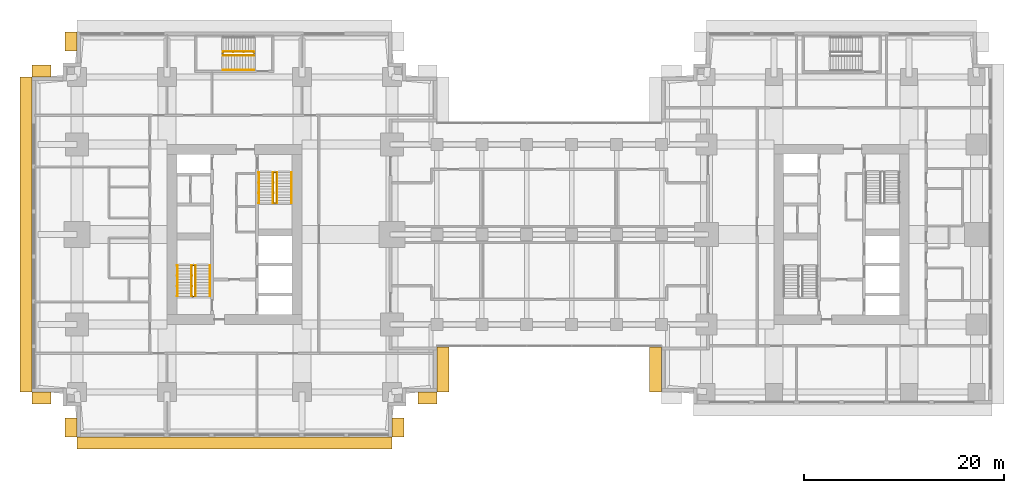
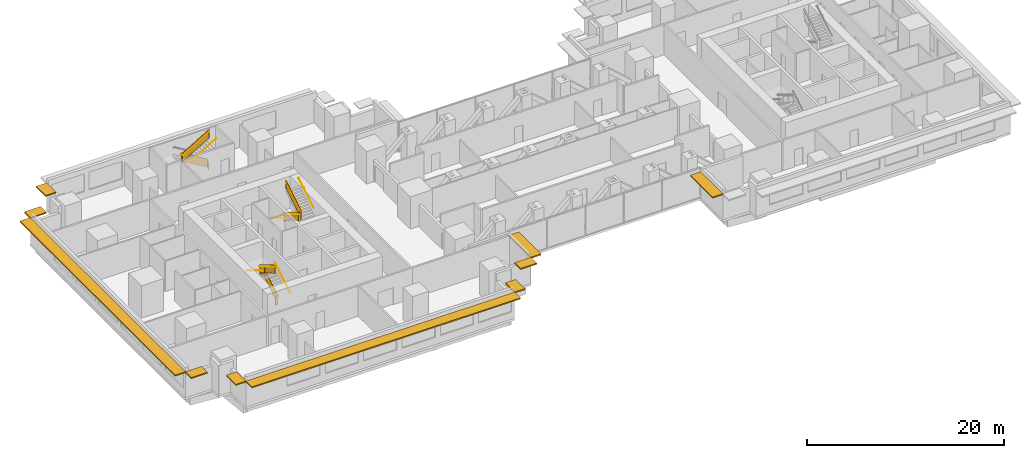
# One storey, part 14 of 16: 14 railings, 10 shading devices.
"""IFC4 building model written with IfcOpenShell, lengths in metres."""

from ifc_helpers import new_model, si_unit, direction, frame, origin, origin_2d, place, context, subcontext, project, spatial, polyline, rectangle, circle, outline, extrude, material, layer, layer_set, type_object, element, save


model = new_model("IFC4")

# Units and contexts
model_context = context("Model", 3, precision=1e-05, world=origin(), true_north=direction((0.0, 1.0)))
body_context = subcontext(model_context, "Body", "Model", "MODEL_VIEW")
ifc_project = project(units=[si_unit("LENGTHUNIT", "METRE"), si_unit("AREAUNIT", "SQUARE_METRE"), si_unit("VOLUMEUNIT", "CUBIC_METRE"), si_unit("PLANEANGLEUNIT", "RADIAN"), si_unit("MASSUNIT", "GRAM", prefix="KILO")], contexts=[model_context])

# Site, building, storey
site_placement = place(None, origin())
site = spatial("IfcSite", under=ifc_project, at=site_placement, CompositionType="ELEMENT")
building_placement = place(site_placement, origin())
building = spatial("IfcBuilding", under=site, at=building_placement, Name="Namib Vertical Campus", CompositionType="ELEMENT")
storey_placement = place(building_placement, frame((0.0, 0.0, 113.0)))
storey = spatial("IfcBuildingStorey", under=building, at=storey_placement, Name="L26", CompositionType="ELEMENT", Elevation=113.0)

# Railings
ifc_material_1 = material(Name="Steel handrail", Category="steel")
railing_type_1 = type_object("IfcRailingType", Name="Handrail 900", PredefinedType="HANDRAIL", material=ifc_material_1)
railing_1_placement = place(storey_placement, frame((17.800048828125, 14.050048828125, 0.166748046875)))
element("IfcRailing", 1, at=railing_1_placement, inside=storey, type_object=railing_type_1, Name="Handrail HR1 A-S1 L26 1", PredefinedType="HANDRAIL", context=body_context, shape_type="SweptSolid", body=[
    extrude(circle(Radius=0.02392578125, at=origin_2d()), frame((0.0, 0.0, 0.8759765625), z_axis=(0.0, 0.859290745958, 0.51148745235), x_axis=(-1.0, 0.0, 0.0)), (0.0, 0.0, 1.0), 3.584228515625),
    extrude(circle(Radius=0.008056640625, at=origin_2d()), frame((0.0, 0.0, 0.8759765625), z_axis=(1.0, 0.0, 0.0), x_axis=(0.0, 0.0, 1.0)), (0.0, 0.0, 1.0), 0.050048828125),
    extrude(circle(Radius=0.008056640625, at=origin_2d()), frame((0.0, 1.026611328125, 1.48681640625), z_axis=(1.0, 0.0, 0.0), x_axis=(0.0, 0.0, 1.0)), (0.0, 0.0, 1.0), 0.050048828125),
    extrude(circle(Radius=0.008056640625, at=origin_2d()), frame((0.0, 2.05322265625, 2.09814453125), z_axis=(1.0, 0.0, 0.0), x_axis=(0.0, 0.0, 1.0)), (0.0, 0.0, 1.0), 0.050048828125),
    extrude(circle(Radius=0.008056640625, at=origin_2d()), frame((0.0, 3.079833984375, 2.708984375), z_axis=(1.0, 0.0, 0.0), x_axis=(0.0, 0.0, 1.0)), (0.0, 0.0, 1.0), 0.050048828125),
])
railing_2_placement = place(storey_placement, frame((14.550048828125, 17.1298828125, 2.166748046875)))
element("IfcRailing", 2, at=railing_2_placement, inside=storey, type_object=railing_type_1, Name="Handrail HR1 A-S1 L26 2", PredefinedType="HANDRAIL", context=body_context, shape_type="SweptSolid", body=[
    extrude(circle(Radius=0.02392578125, at=origin_2d()), frame((0.0, 0.0, 0.8759765625), z_axis=(0.0, -0.859290745958, 0.51148745235), x_axis=(1.0, 0.0, 0.0)), (0.0, 0.0, 1.0), 3.584228515625),
    extrude(circle(Radius=0.008056640625, at=origin_2d()), frame((0.0, 0.0, 0.8759765625), z_axis=(-1.0, 0.0, 0.0), x_axis=(0.0, 0.0, 1.0)), (0.0, 0.0, 1.0), 0.050048828125),
    extrude(circle(Radius=0.008056640625, at=origin_2d()), frame((0.0, -1.026611328125, 1.48681640625), z_axis=(-1.0, 0.0, 0.0), x_axis=(0.0, 0.0, 1.0)), (0.0, 0.0, 1.0), 0.050048828125),
    extrude(circle(Radius=0.008056640625, at=origin_2d()), frame((0.0, -2.05322265625, 2.09814453125), z_axis=(-1.0, 0.0, 0.0), x_axis=(0.0, 0.0, 1.0)), (0.0, 0.0, 1.0), 0.050048828125),
    extrude(circle(Radius=0.008056640625, at=origin_2d()), frame((0.0, -3.079833984375, 2.708984375), z_axis=(-1.0, 0.0, 0.0), x_axis=(0.0, 0.0, 1.0)), (0.0, 0.0, 1.0), 0.050048828125),
])
railing_3_placement = place(storey_placement, frame((16.375, 14.050048828125, 0.166748046875)))
element("IfcRailing", 3, at=railing_3_placement, inside=storey, type_object=railing_type_1, Name="Handrail HR1 A-S1 L26 1 at the well", PredefinedType="HANDRAIL", context=body_context, shape_type="SweptSolid", body=[
    extrude(circle(Radius=0.02392578125, at=origin_2d()), frame((0.0, 0.0, 0.8759765625), z_axis=(0.0, 0.859290745958, 0.51148745235), x_axis=(-1.0, 0.0, 0.0)), (0.0, 0.0, 1.0), 3.584228515625),
    extrude(circle(Radius=0.008056640625, at=origin_2d()), frame((0.0, 0.0, 0.8759765625), z_axis=(-1.0, 0.0, 0.0), x_axis=(0.0, 0.0, 1.0)), (0.0, 0.0, 1.0), 0.0400390625),
    extrude(circle(Radius=0.008056640625, at=origin_2d()), frame((0.0, 1.026611328125, 1.48681640625), z_axis=(-1.0, 0.0, 0.0), x_axis=(0.0, 0.0, 1.0)), (0.0, 0.0, 1.0), 0.0400390625),
    extrude(circle(Radius=0.008056640625, at=origin_2d()), frame((0.0, 2.05322265625, 2.09814453125), z_axis=(-1.0, 0.0, 0.0), x_axis=(0.0, 0.0, 1.0)), (0.0, 0.0, 1.0), 0.0400390625),
    extrude(circle(Radius=0.008056640625, at=origin_2d()), frame((0.0, 3.079833984375, 2.708984375), z_axis=(-1.0, 0.0, 0.0), x_axis=(0.0, 0.0, 1.0)), (0.0, 0.0, 1.0), 0.0400390625),
])
railing_4_placement = place(storey_placement, frame((15.97509765625, 17.1298828125, 2.166748046875)))
element("IfcRailing", 4, at=railing_4_placement, inside=storey, type_object=railing_type_1, Name="Handrail HR1 A-S1 L26 2 at the well", PredefinedType="HANDRAIL", context=body_context, shape_type="SweptSolid", body=[
    extrude(circle(Radius=0.02392578125, at=origin_2d()), frame((0.0, 0.0, 0.8759765625), z_axis=(0.0, -0.859290745958, 0.51148745235), x_axis=(1.0, 0.0, 0.0)), (0.0, 0.0, 1.0), 3.584228515625),
    extrude(circle(Radius=0.008056640625, at=origin_2d()), frame((0.0, 0.0, 0.8759765625), z_axis=(1.0, 0.0, 0.0), x_axis=(0.0, 0.0, 1.0)), (0.0, 0.0, 1.0), 0.0400390625),
    extrude(circle(Radius=0.008056640625, at=origin_2d()), frame((0.0, -1.026611328125, 1.48681640625), z_axis=(1.0, 0.0, 0.0), x_axis=(0.0, 0.0, 1.0)), (0.0, 0.0, 1.0), 0.0400390625),
    extrude(circle(Radius=0.008056640625, at=origin_2d()), frame((0.0, -2.05322265625, 2.09814453125), z_axis=(1.0, 0.0, 0.0), x_axis=(0.0, 0.0, 1.0)), (0.0, 0.0, 1.0), 0.0400390625),
    extrude(circle(Radius=0.008056640625, at=origin_2d()), frame((0.0, -3.079833984375, 2.708984375), z_axis=(1.0, 0.0, 0.0), x_axis=(0.0, 0.0, 1.0)), (0.0, 0.0, 1.0), 0.0400390625),
])
railing_5_placement = place(storey_placement, frame((22.699951171875, 26.449951171875, 0.166748046875)))
element("IfcRailing", 5, at=railing_5_placement, inside=storey, type_object=railing_type_1, Name="Handrail HR1 A-S2 L26 1", PredefinedType="HANDRAIL", context=body_context, shape_type="SweptSolid", body=[
    extrude(circle(Radius=0.02392578125, at=origin_2d()), frame((0.0, 0.0, 0.8759765625), z_axis=(0.0, -0.859290745958, 0.51148745235), x_axis=(1.0, 0.0, 0.0)), (0.0, 0.0, 1.0), 3.584228515625),
    extrude(circle(Radius=0.008056640625, at=origin_2d()), frame((0.0, 0.0, 0.8759765625), z_axis=(-1.0, 0.0, 0.0), x_axis=(0.0, 0.0, 1.0)), (0.0, 0.0, 1.0), 0.050048828125),
    extrude(circle(Radius=0.008056640625, at=origin_2d()), frame((0.0, -1.026611328125, 1.48681640625), z_axis=(-1.0, 0.0, 0.0), x_axis=(0.0, 0.0, 1.0)), (0.0, 0.0, 1.0), 0.050048828125),
    extrude(circle(Radius=0.008056640625, at=origin_2d()), frame((0.0, -2.05322265625, 2.09814453125), z_axis=(-1.0, 0.0, 0.0), x_axis=(0.0, 0.0, 1.0)), (0.0, 0.0, 1.0), 0.050048828125),
    extrude(circle(Radius=0.008056640625, at=origin_2d()), frame((0.0, -3.079833984375, 2.708984375), z_axis=(-1.0, 0.0, 0.0), x_axis=(0.0, 0.0, 1.0)), (0.0, 0.0, 1.0), 0.050048828125),
])
railing_6_placement = place(storey_placement, frame((25.949951171875, 23.3701171875, 2.166748046875)))
element("IfcRailing", 6, at=railing_6_placement, inside=storey, type_object=railing_type_1, Name="Handrail HR1 A-S2 L26 2", PredefinedType="HANDRAIL", context=body_context, shape_type="SweptSolid", body=[
    extrude(circle(Radius=0.02392578125, at=origin_2d()), frame((0.0, 0.0, 0.8759765625), z_axis=(0.0, 0.859290745958, 0.51148745235), x_axis=(-1.0, 0.0, 0.0)), (0.0, 0.0, 1.0), 3.584228515625),
    extrude(circle(Radius=0.008056640625, at=origin_2d()), frame((0.0, 0.0, 0.8759765625), z_axis=(1.0, 0.0, 0.0), x_axis=(0.0, 0.0, 1.0)), (0.0, 0.0, 1.0), 0.050048828125),
    extrude(circle(Radius=0.008056640625, at=origin_2d()), frame((0.0, 1.026611328125, 1.48681640625), z_axis=(1.0, 0.0, 0.0), x_axis=(0.0, 0.0, 1.0)), (0.0, 0.0, 1.0), 0.050048828125),
    extrude(circle(Radius=0.008056640625, at=origin_2d()), frame((0.0, 2.05322265625, 2.09814453125), z_axis=(1.0, 0.0, 0.0), x_axis=(0.0, 0.0, 1.0)), (0.0, 0.0, 1.0), 0.050048828125),
    extrude(circle(Radius=0.008056640625, at=origin_2d()), frame((0.0, 3.079833984375, 2.708984375), z_axis=(1.0, 0.0, 0.0), x_axis=(0.0, 0.0, 1.0)), (0.0, 0.0, 1.0), 0.050048828125),
])
railing_7_placement = place(storey_placement, frame((24.125, 26.449951171875, 0.166748046875)))
element("IfcRailing", 7, at=railing_7_placement, inside=storey, type_object=railing_type_1, Name="Handrail HR1 A-S2 L26 1 at the well", PredefinedType="HANDRAIL", context=body_context, shape_type="SweptSolid", body=[
    extrude(circle(Radius=0.02392578125, at=origin_2d()), frame((0.0, 0.0, 0.8759765625), z_axis=(0.0, -0.859290745958, 0.51148745235), x_axis=(1.0, 0.0, 0.0)), (0.0, 0.0, 1.0), 3.584228515625),
    extrude(circle(Radius=0.008056640625, at=origin_2d()), frame((0.0, 0.0, 0.8759765625), z_axis=(1.0, 0.0, 0.0), x_axis=(0.0, 0.0, 1.0)), (0.0, 0.0, 1.0), 0.0400390625),
    extrude(circle(Radius=0.008056640625, at=origin_2d()), frame((0.0, -1.026611328125, 1.48681640625), z_axis=(1.0, 0.0, 0.0), x_axis=(0.0, 0.0, 1.0)), (0.0, 0.0, 1.0), 0.0400390625),
    extrude(circle(Radius=0.008056640625, at=origin_2d()), frame((0.0, -2.05322265625, 2.09814453125), z_axis=(1.0, 0.0, 0.0), x_axis=(0.0, 0.0, 1.0)), (0.0, 0.0, 1.0), 0.0400390625),
    extrude(circle(Radius=0.008056640625, at=origin_2d()), frame((0.0, -3.079833984375, 2.708984375), z_axis=(1.0, 0.0, 0.0), x_axis=(0.0, 0.0, 1.0)), (0.0, 0.0, 1.0), 0.0400390625),
])
railing_8_placement = place(storey_placement, frame((24.52490234375, 23.3701171875, 2.166748046875)))
element("IfcRailing", 8, at=railing_8_placement, inside=storey, type_object=railing_type_1, Name="Handrail HR1 A-S2 L26 2 at the well", PredefinedType="HANDRAIL", context=body_context, shape_type="SweptSolid", body=[
    extrude(circle(Radius=0.02392578125, at=origin_2d()), frame((0.0, 0.0, 0.8759765625), z_axis=(0.0, 0.859290745958, 0.51148745235), x_axis=(-1.0, 0.0, 0.0)), (0.0, 0.0, 1.0), 3.584228515625),
    extrude(circle(Radius=0.008056640625, at=origin_2d()), frame((0.0, 0.0, 0.8759765625), z_axis=(-1.0, 0.0, 0.0), x_axis=(0.0, 0.0, 1.0)), (0.0, 0.0, 1.0), 0.0400390625),
    extrude(circle(Radius=0.008056640625, at=origin_2d()), frame((0.0, 1.026611328125, 1.48681640625), z_axis=(-1.0, 0.0, 0.0), x_axis=(0.0, 0.0, 1.0)), (0.0, 0.0, 1.0), 0.0400390625),
    extrude(circle(Radius=0.008056640625, at=origin_2d()), frame((0.0, 2.05322265625, 2.09814453125), z_axis=(-1.0, 0.0, 0.0), x_axis=(0.0, 0.0, 1.0)), (0.0, 0.0, 1.0), 0.0400390625),
    extrude(circle(Radius=0.008056640625, at=origin_2d()), frame((0.0, 3.079833984375, 2.708984375), z_axis=(-1.0, 0.0, 0.0), x_axis=(0.0, 0.0, 1.0)), (0.0, 0.0, 1.0), 0.0400390625),
])
railing_9_placement = place(storey_placement, frame((19.1201171875, 36.699951171875, 2.166748046875)))
element("IfcRailing", 9, at=railing_9_placement, inside=storey, type_object=railing_type_1, Name="Handrail HR1 A-S3 L26 2", PredefinedType="HANDRAIL", context=body_context, shape_type="SweptSolid", body=[
    extrude(circle(Radius=0.02392578125, at=origin_2d()), frame((0.0, 0.0, 0.8759765625), z_axis=(0.859290745958, 0.0, 0.51148745235), x_axis=(0.0, 1.0, 0.0)), (0.0, 0.0, 1.0), 3.584228515625),
    extrude(circle(Radius=0.008056640625, at=origin_2d()), frame((0.0, 0.0, 0.8759765625), z_axis=(0.0, -1.0, 0.0), x_axis=(0.0, 0.0, 1.0)), (0.0, 0.0, 1.0), 0.050048828125),
    extrude(circle(Radius=0.008056640625, at=origin_2d()), frame((1.026611328125, 0.0, 1.48681640625), z_axis=(0.0, -1.0, 0.0), x_axis=(0.0, 0.0, 1.0)), (0.0, 0.0, 1.0), 0.050048828125),
    extrude(circle(Radius=0.008056640625, at=origin_2d()), frame((2.05322265625, 0.0, 2.09814453125), z_axis=(0.0, -1.0, 0.0), x_axis=(0.0, 0.0, 1.0)), (0.0, 0.0, 1.0), 0.050048828125),
    extrude(circle(Radius=0.008056640625, at=origin_2d()), frame((3.079833984375, 0.0, 2.708984375), z_axis=(0.0, -1.0, 0.0), x_axis=(0.0, 0.0, 1.0)), (0.0, 0.0, 1.0), 0.050048828125),
])
railing_10_placement = place(storey_placement, frame((22.199951171875, 38.52490234375, 0.166748046875)))
element("IfcRailing", 10, at=railing_10_placement, inside=storey, type_object=railing_type_1, Name="Handrail HR1 A-S3 L26 1 at the well", PredefinedType="HANDRAIL", context=body_context, shape_type="SweptSolid", body=[
    extrude(circle(Radius=0.02392578125, at=origin_2d()), frame((0.0, 0.0, 0.8759765625), z_axis=(-0.859290745958, 0.0, 0.51148745235), x_axis=(0.0, -1.0, 0.0)), (0.0, 0.0, 1.0), 3.584228515625),
    extrude(circle(Radius=0.008056640625, at=origin_2d()), frame((0.0, 0.0, 0.8759765625), z_axis=(0.0, -1.0, 0.0), x_axis=(0.0, 0.0, 1.0)), (0.0, 0.0, 1.0), 0.0400390625),
    extrude(circle(Radius=0.008056640625, at=origin_2d()), frame((-1.026611328125, 0.0, 1.48681640625), z_axis=(0.0, -1.0, 0.0), x_axis=(0.0, 0.0, 1.0)), (0.0, 0.0, 1.0), 0.0400390625),
    extrude(circle(Radius=0.008056640625, at=origin_2d()), frame((-2.05322265625, 0.0, 2.09814453125), z_axis=(0.0, -1.0, 0.0), x_axis=(0.0, 0.0, 1.0)), (0.0, 0.0, 1.0), 0.0400390625),
    extrude(circle(Radius=0.008056640625, at=origin_2d()), frame((-3.079833984375, 0.0, 2.708984375), z_axis=(0.0, -1.0, 0.0), x_axis=(0.0, 0.0, 1.0)), (0.0, 0.0, 1.0), 0.0400390625),
])
railing_11_placement = place(storey_placement, frame((19.1201171875, 38.125, 2.166748046875)))
element("IfcRailing", 11, at=railing_11_placement, inside=storey, type_object=railing_type_1, Name="Handrail HR1 A-S3 L26 2 at the well", PredefinedType="HANDRAIL", context=body_context, shape_type="SweptSolid", body=[
    extrude(circle(Radius=0.02392578125, at=origin_2d()), frame((0.0, 0.0, 0.8759765625), z_axis=(0.859290745958, 0.0, 0.51148745235), x_axis=(0.0, 1.0, 0.0)), (0.0, 0.0, 1.0), 3.584228515625),
    extrude(circle(Radius=0.008056640625, at=origin_2d()), frame((0.0, 0.0, 0.8759765625), z_axis=(0.0, 1.0, 0.0), x_axis=(0.0, 0.0, 1.0)), (0.0, 0.0, 1.0), 0.0400390625),
    extrude(circle(Radius=0.008056640625, at=origin_2d()), frame((1.026611328125, 0.0, 1.48681640625), z_axis=(0.0, 1.0, 0.0), x_axis=(0.0, 0.0, 1.0)), (0.0, 0.0, 1.0), 0.0400390625),
    extrude(circle(Radius=0.008056640625, at=origin_2d()), frame((2.05322265625, 0.0, 2.09814453125), z_axis=(0.0, 1.0, 0.0), x_axis=(0.0, 0.0, 1.0)), (0.0, 0.0, 1.0), 0.0400390625),
    extrude(circle(Radius=0.008056640625, at=origin_2d()), frame((3.079833984375, 0.0, 2.708984375), z_axis=(0.0, 1.0, 0.0), x_axis=(0.0, 0.0, 1.0)), (0.0, 0.0, 1.0), 0.0400390625),
])
ifc_material_2 = material(Name="Steel balustrade", Category="steel")
railing_type_2 = type_object("IfcRailingType", Name="Stair guard 1100", PredefinedType="GUARDRAIL", material=ifc_material_2)
railing_12_placement = place(storey_placement, frame((16.02490234375, 14.050048828125, 0.0)))
element("IfcRailing", 12, at=railing_12_placement, inside=storey, type_object=railing_type_2, Name="Stair guard GR1 A-S1 L26", PredefinedType="GUARDRAIL", context=body_context, shape_type="SweptSolid", body=[
    extrude(circle(Radius=0.02392578125, at=origin_2d()), frame((0.0, 0.0, 1.076171875), z_axis=(1.0, 0.0, 0.0), x_axis=(0.0, 1.0, 0.0)), (0.0, 0.0, 1.0), 0.300048828125),
    extrude(outline(polyline([(0.02099609375, 0.050048828125), (0.279052734375, 0.050048828125), (0.279052734375, 1.052001953125), (0.02099609375, 1.052001953125), (0.02099609375, 0.050048828125)])), frame((0.0, 0.010009765625, 0.0), z_axis=(0.0, -1.0, 0.0), x_axis=(1.0, 0.0, 0.0)), (0.0, 0.0, 1.0), 0.02001953125),
    extrude(circle(Radius=0.02392578125, at=origin_2d()), frame((0.300048828125, 0.0, 1.076171875), z_axis=(0.0, 0.0, 1.0), x_axis=(1.0, 0.0, 0.0)), (0.0, 0.0, 1.0), 0.166748046875),
    extrude(circle(Radius=0.02392578125, at=origin_2d()), frame((0.300048828125, 0.0, 1.24267578125), z_axis=(0.0, 0.859290745958, 0.51148745235), x_axis=(-1.0, 0.0, 0.0)), (0.0, 0.0, 1.0), 3.584228515625),
    extrude(outline(polyline([(0.02099609375, 0.0625), (3.058837890625, 1.870849609375), (3.058837890625, 2.872802734375), (0.02099609375, 1.064453125), (0.02099609375, 0.0625)])), frame((0.2900390625, 0.0, 0.166748046875), z_axis=(1.0, 0.0, 0.0), x_axis=(0.0, 1.0, 0.0)), (0.0, 0.0, 1.0), 0.02001953125),
    extrude(circle(Radius=0.02392578125, at=origin_2d()), frame((0.300048828125, 3.079833984375, 3.076171875), z_axis=(-1.0, 0.0, 0.0), x_axis=(0.0, -1.0, 0.0)), (0.0, 0.0, 1.0), 0.300048828125),
    extrude(outline(polyline([(0.02099609375, 0.050048828125), (0.279052734375, 0.050048828125), (0.279052734375, 1.052001953125), (0.02099609375, 1.052001953125), (0.02099609375, 0.050048828125)])), frame((0.300048828125, 3.06982421875, 2.0), z_axis=(0.0, 1.0, 0.0), x_axis=(-1.0, 0.0, 0.0)), (0.0, 0.0, 1.0), 0.02001953125),
    extrude(circle(Radius=0.02392578125, at=origin_2d()), frame((0.0, 3.079833984375, 3.076171875), z_axis=(0.0, 0.0, 1.0), x_axis=(1.0, 0.0, 0.0)), (0.0, 0.0, 1.0), 0.166748046875),
    extrude(circle(Radius=0.02392578125, at=origin_2d()), frame((0.0, 3.079833984375, 3.24267578125), z_axis=(0.0, -0.859290745958, 0.51148745235), x_axis=(1.0, 0.0, 0.0)), (0.0, 0.0, 1.0), 3.584228515625),
    extrude(outline(polyline([(0.02099609375, 0.0625), (3.058837890625, 1.870849609375), (3.058837890625, 2.872802734375), (0.02099609375, 1.064453125), (0.02099609375, 0.0625)])), frame((0.010009765625, 3.079833984375, 2.166748046875), z_axis=(-1.0, 0.0, 0.0), x_axis=(0.0, -1.0, 0.0)), (0.0, 0.0, 1.0), 0.02001953125),
    extrude(circle(Radius=0.02392578125, at=origin_2d()), frame((0.0, 0.0, 5.076171875), z_axis=(0.0, -1.0, 0.0), x_axis=(1.0, 0.0, 0.0)), (0.0, 0.0, 1.0), 0.050048828125),
    extrude(outline(polyline([(0.02099609375, 0.050048828125), (0.029052734375, 0.050048828125), (0.029052734375, 1.052001953125), (0.02099609375, 1.052001953125), (0.02099609375, 0.050048828125)])), frame((0.010009765625, 0.0, 4.0), z_axis=(-1.0, 0.0, 0.0), x_axis=(0.0, -1.0, 0.0)), (0.0, 0.0, 1.0), 0.02001953125),
    extrude(circle(Radius=0.02099609375, at=origin_2d()), origin(), (0.0, 0.0, 1.0), 1.052001953125),
    extrude(circle(Radius=0.02099609375, at=origin_2d()), frame((0.300048828125, 0.0, 0.166748046875)), (0.0, 0.0, 1.0), 1.052001953125),
    extrude(circle(Radius=0.02099609375, at=origin_2d()), frame((0.300048828125, 1.026611328125, 0.666748046875)), (0.0, 0.0, 1.0), 1.1630859375),
    extrude(circle(Radius=0.02099609375, at=origin_2d()), frame((0.300048828125, 2.05322265625, 1.33349609375)), (0.0, 0.0, 1.0), 1.107421875),
    extrude(circle(Radius=0.02099609375, at=origin_2d()), frame((0.300048828125, 3.079833984375, 2.0)), (0.0, 0.0, 1.0), 1.052001953125),
    extrude(circle(Radius=0.02099609375, at=origin_2d()), frame((0.0, 3.079833984375, 2.166748046875)), (0.0, 0.0, 1.0), 1.052001953125),
    extrude(circle(Radius=0.02099609375, at=origin_2d()), frame((0.0, 2.05322265625, 2.666748046875)), (0.0, 0.0, 1.0), 1.1630859375),
    extrude(circle(Radius=0.02099609375, at=origin_2d()), frame((0.0, 1.026611328125, 3.33349609375)), (0.0, 0.0, 1.0), 1.107421875),
    extrude(circle(Radius=0.02099609375, at=origin_2d()), frame((0.0, 0.0, 4.0)), (0.0, 0.0, 1.0), 1.052001953125),
    extrude(circle(Radius=0.02099609375, at=origin_2d()), frame((0.0, -0.050048828125, 4.0)), (0.0, 0.0, 1.0), 1.052001953125),
])
railing_13_placement = place(storey_placement, frame((24.47509765625, 26.449951171875, 0.0)))
element("IfcRailing", 13, at=railing_13_placement, inside=storey, type_object=railing_type_2, Name="Stair guard GR1 A-S2 L26", PredefinedType="GUARDRAIL", context=body_context, shape_type="SweptSolid", body=[
    extrude(circle(Radius=0.02392578125, at=origin_2d()), frame((0.0, 0.0, 1.076171875), z_axis=(-1.0, 0.0, 0.0), x_axis=(0.0, -1.0, 0.0)), (0.0, 0.0, 1.0), 0.300048828125),
    extrude(outline(polyline([(0.02099609375, 0.050048828125), (0.279052734375, 0.050048828125), (0.279052734375, 1.052001953125), (0.02099609375, 1.052001953125), (0.02099609375, 0.050048828125)])), frame((0.0, -0.010009765625, 0.0), z_axis=(0.0, 1.0, 0.0), x_axis=(-1.0, 0.0, 0.0)), (0.0, 0.0, 1.0), 0.02001953125),
    extrude(circle(Radius=0.02392578125, at=origin_2d()), frame((-0.300048828125, 0.0, 1.076171875), z_axis=(0.0, 0.0, 1.0), x_axis=(1.0, 0.0, 0.0)), (0.0, 0.0, 1.0), 0.166748046875),
    extrude(circle(Radius=0.02392578125, at=origin_2d()), frame((-0.300048828125, 0.0, 1.24267578125), z_axis=(0.0, -0.859290745958, 0.51148745235), x_axis=(1.0, 0.0, 0.0)), (0.0, 0.0, 1.0), 3.584228515625),
    extrude(outline(polyline([(0.02099609375, 0.0625), (3.058837890625, 1.870849609375), (3.058837890625, 2.872802734375), (0.02099609375, 1.064453125), (0.02099609375, 0.0625)])), frame((-0.2900390625, 0.0, 0.166748046875), z_axis=(-1.0, 0.0, 0.0), x_axis=(0.0, -1.0, 0.0)), (0.0, 0.0, 1.0), 0.02001953125),
    extrude(circle(Radius=0.02392578125, at=origin_2d()), frame((-0.300048828125, -3.079833984375, 3.076171875), z_axis=(1.0, 0.0, 0.0), x_axis=(0.0, 1.0, 0.0)), (0.0, 0.0, 1.0), 0.300048828125),
    extrude(outline(polyline([(0.02099609375, 0.050048828125), (0.279052734375, 0.050048828125), (0.279052734375, 1.052001953125), (0.02099609375, 1.052001953125), (0.02099609375, 0.050048828125)])), frame((-0.300048828125, -3.06982421875, 2.0), z_axis=(0.0, -1.0, 0.0), x_axis=(1.0, 0.0, 0.0)), (0.0, 0.0, 1.0), 0.02001953125),
    extrude(circle(Radius=0.02392578125, at=origin_2d()), frame((0.0, -3.079833984375, 3.076171875), z_axis=(0.0, 0.0, 1.0), x_axis=(1.0, 0.0, 0.0)), (0.0, 0.0, 1.0), 0.166748046875),
    extrude(circle(Radius=0.02392578125, at=origin_2d()), frame((0.0, -3.079833984375, 3.24267578125), z_axis=(0.0, 0.859290745958, 0.51148745235), x_axis=(-1.0, 0.0, 0.0)), (0.0, 0.0, 1.0), 3.584228515625),
    extrude(outline(polyline([(0.02099609375, 0.0625), (3.058837890625, 1.870849609375), (3.058837890625, 2.872802734375), (0.02099609375, 1.064453125), (0.02099609375, 0.0625)])), frame((-0.010009765625, -3.079833984375, 2.166748046875), z_axis=(1.0, 0.0, 0.0), x_axis=(0.0, 1.0, 0.0)), (0.0, 0.0, 1.0), 0.02001953125),
    extrude(circle(Radius=0.02392578125, at=origin_2d()), frame((0.0, 0.0, 5.076171875), z_axis=(0.0, 1.0, 0.0), x_axis=(-1.0, 0.0, 0.0)), (0.0, 0.0, 1.0), 0.050048828125),
    extrude(outline(polyline([(0.02099609375, 0.050048828125), (0.029052734375, 0.050048828125), (0.029052734375, 1.052001953125), (0.02099609375, 1.052001953125), (0.02099609375, 0.050048828125)])), frame((-0.010009765625, 0.0, 4.0), z_axis=(1.0, 0.0, 0.0), x_axis=(0.0, 1.0, 0.0)), (0.0, 0.0, 1.0), 0.02001953125),
    extrude(circle(Radius=0.02099609375, at=origin_2d()), origin(), (0.0, 0.0, 1.0), 1.052001953125),
    extrude(circle(Radius=0.02099609375, at=origin_2d()), frame((-0.300048828125, 0.0, 0.166748046875)), (0.0, 0.0, 1.0), 1.052001953125),
    extrude(circle(Radius=0.02099609375, at=origin_2d()), frame((-0.300048828125, -1.026611328125, 0.666748046875)), (0.0, 0.0, 1.0), 1.1630859375),
    extrude(circle(Radius=0.02099609375, at=origin_2d()), frame((-0.300048828125, -2.05322265625, 1.33349609375)), (0.0, 0.0, 1.0), 1.107421875),
    extrude(circle(Radius=0.02099609375, at=origin_2d()), frame((-0.300048828125, -3.079833984375, 2.0)), (0.0, 0.0, 1.0), 1.052001953125),
    extrude(circle(Radius=0.02099609375, at=origin_2d()), frame((0.0, -3.079833984375, 2.166748046875)), (0.0, 0.0, 1.0), 1.052001953125),
    extrude(circle(Radius=0.02099609375, at=origin_2d()), frame((0.0, -2.05322265625, 2.666748046875)), (0.0, 0.0, 1.0), 1.1630859375),
    extrude(circle(Radius=0.02099609375, at=origin_2d()), frame((0.0, -1.026611328125, 3.33349609375)), (0.0, 0.0, 1.0), 1.107421875),
    extrude(circle(Radius=0.02099609375, at=origin_2d()), frame((0.0, 0.0, 4.0)), (0.0, 0.0, 1.0), 1.052001953125),
    extrude(circle(Radius=0.02099609375, at=origin_2d()), frame((0.0, 0.050048828125, 4.0)), (0.0, 0.0, 1.0), 1.052001953125),
])
railing_14_placement = place(storey_placement, frame((22.199951171875, 38.175048828125, 0.0)))
element("IfcRailing", 14, at=railing_14_placement, inside=storey, type_object=railing_type_2, Name="Stair guard GR1 A-S3 L26", PredefinedType="GUARDRAIL", context=body_context, shape_type="SweptSolid", body=[
    extrude(circle(Radius=0.02392578125, at=origin_2d()), frame((0.0, 0.0, 1.076171875), z_axis=(0.0, 1.0, 0.0), x_axis=(-1.0, 0.0, 0.0)), (0.0, 0.0, 1.0), 0.300048828125),
    extrude(outline(polyline([(0.02099609375, 0.050048828125), (0.279052734375, 0.050048828125), (0.279052734375, 1.052001953125), (0.02099609375, 1.052001953125), (0.02099609375, 0.050048828125)])), frame((-0.010009765625, 0.0, 0.0), z_axis=(1.0, 0.0, 0.0), x_axis=(0.0, 1.0, 0.0)), (0.0, 0.0, 1.0), 0.02001953125),
    extrude(circle(Radius=0.02392578125, at=origin_2d()), frame((0.0, 0.300048828125, 1.076171875), z_axis=(0.0, 0.0, 1.0), x_axis=(1.0, 0.0, 0.0)), (0.0, 0.0, 1.0), 0.166748046875),
    extrude(circle(Radius=0.02392578125, at=origin_2d()), frame((0.0, 0.300048828125, 1.24267578125), z_axis=(-0.859290745958, 0.0, 0.51148745235), x_axis=(0.0, -1.0, 0.0)), (0.0, 0.0, 1.0), 3.584228515625),
    extrude(outline(polyline([(0.02099609375, 0.0625), (3.058837890625, 1.870849609375), (3.058837890625, 2.872802734375), (0.02099609375, 1.064453125), (0.02099609375, 0.0625)])), frame((0.0, 0.2900390625, 0.166748046875), z_axis=(0.0, 1.0, 0.0), x_axis=(-1.0, 0.0, 0.0)), (0.0, 0.0, 1.0), 0.02001953125),
    extrude(circle(Radius=0.02392578125, at=origin_2d()), frame((-3.079833984375, 0.300048828125, 3.076171875), z_axis=(0.0, -1.0, 0.0), x_axis=(1.0, 0.0, 0.0)), (0.0, 0.0, 1.0), 0.300048828125),
    extrude(outline(polyline([(0.02099609375, 0.050048828125), (0.279052734375, 0.050048828125), (0.279052734375, 1.052001953125), (0.02099609375, 1.052001953125), (0.02099609375, 0.050048828125)])), frame((-3.06982421875, 0.300048828125, 2.0), z_axis=(-1.0, 0.0, 0.0), x_axis=(0.0, -1.0, 0.0)), (0.0, 0.0, 1.0), 0.02001953125),
    extrude(circle(Radius=0.02392578125, at=origin_2d()), frame((-3.079833984375, 0.0, 3.076171875), z_axis=(0.0, 0.0, 1.0), x_axis=(1.0, 0.0, 0.0)), (0.0, 0.0, 1.0), 0.166748046875),
    extrude(circle(Radius=0.02392578125, at=origin_2d()), frame((-3.079833984375, 0.0, 3.24267578125), z_axis=(0.859290745958, 0.0, 0.51148745235), x_axis=(0.0, 1.0, 0.0)), (0.0, 0.0, 1.0), 3.584228515625),
    extrude(outline(polyline([(0.02099609375, 0.0625), (3.058837890625, 1.870849609375), (3.058837890625, 2.872802734375), (0.02099609375, 1.064453125), (0.02099609375, 0.0625)])), frame((-3.079833984375, 0.010009765625, 2.166748046875), z_axis=(0.0, -1.0, 0.0), x_axis=(1.0, 0.0, 0.0)), (0.0, 0.0, 1.0), 0.02001953125),
    extrude(circle(Radius=0.02392578125, at=origin_2d()), frame((0.0, 0.0, 5.076171875), z_axis=(1.0, 0.0, 0.0), x_axis=(0.0, 1.0, 0.0)), (0.0, 0.0, 1.0), 0.050048828125),
    extrude(outline(polyline([(0.02099609375, 0.050048828125), (0.029052734375, 0.050048828125), (0.029052734375, 1.052001953125), (0.02099609375, 1.052001953125), (0.02099609375, 0.050048828125)])), frame((0.0, 0.010009765625, 4.0), z_axis=(0.0, -1.0, 0.0), x_axis=(1.0, 0.0, 0.0)), (0.0, 0.0, 1.0), 0.02001953125),
    extrude(circle(Radius=0.02099609375, at=origin_2d()), origin(), (0.0, 0.0, 1.0), 1.052001953125),
    extrude(circle(Radius=0.02099609375, at=origin_2d()), frame((0.0, 0.300048828125, 0.166748046875)), (0.0, 0.0, 1.0), 1.052001953125),
    extrude(circle(Radius=0.02099609375, at=origin_2d()), frame((-1.026611328125, 0.300048828125, 0.666748046875)), (0.0, 0.0, 1.0), 1.1630859375),
    extrude(circle(Radius=0.02099609375, at=origin_2d()), frame((-2.05322265625, 0.300048828125, 1.33349609375)), (0.0, 0.0, 1.0), 1.107421875),
    extrude(circle(Radius=0.02099609375, at=origin_2d()), frame((-3.079833984375, 0.300048828125, 2.0)), (0.0, 0.0, 1.0), 1.052001953125),
    extrude(circle(Radius=0.02099609375, at=origin_2d()), frame((-3.079833984375, 0.0, 2.166748046875)), (0.0, 0.0, 1.0), 1.052001953125),
    extrude(circle(Radius=0.02099609375, at=origin_2d()), frame((-2.05322265625, 0.0, 2.666748046875)), (0.0, 0.0, 1.0), 1.1630859375),
    extrude(circle(Radius=0.02099609375, at=origin_2d()), frame((-1.026611328125, 0.0, 3.33349609375)), (0.0, 0.0, 1.0), 1.107421875),
    extrude(circle(Radius=0.02099609375, at=origin_2d()), frame((0.0, 0.0, 4.0)), (0.0, 0.0, 1.0), 1.052001953125),
    extrude(circle(Radius=0.02099609375, at=origin_2d()), frame((0.050048828125, 0.0, 4.0)), (0.0, 0.0, 1.0), 1.052001953125),
])

# Shading devices
ifc_material_3 = material(Name="Concrete C40/50 precast", Category="concrete")
ifc_layer = layer(ifc_material_3, 0.14990234375)
ifc_layer_set = layer_set([ifc_layer], Name="Concrete C40/50 precast")
shading_device_type = type_object("IfcShadingDeviceType", Name="Sunshade hood 1200", PredefinedType="SHUTTER", material=ifc_layer_set)
shading_device_1_placement = place(storey_placement, frame((3.89990234375, 0.949951171875, 3.10009765625), z_axis=(0.0, 0.0, 1.0), x_axis=(0.0, -1.0, 0.0)))
element("IfcShadingDevice", 15, at=shading_device_1_placement, inside=storey, type_object=shading_device_type, Name="Sunshade SH2 L26 1", PredefinedType="SHUTTER", context=body_context, shape_type="SweptSolid", body=[
    extrude(rectangle(XDim=1.89990234375, YDim=1.199951171875, at=origin_2d()), origin(), (0.0, 0.0, 1.0), 0.14990234375),
])
shading_device_2_placement = place(storey_placement, frame((20.25, -0.60009765625, 3.10009765625), z_axis=(0.0, 0.0, 1.0), x_axis=(1.0, 0.0, 0.0)))
element("IfcShadingDevice", 16, at=shading_device_2_placement, inside=storey, type_object=shading_device_type, Name="Sunshade SH2 L26 2", PredefinedType="SHUTTER", context=body_context, shape_type="SweptSolid", body=[
    extrude(rectangle(XDim=31.5, YDim=1.199951171875, at=origin_2d()), origin(), (0.0, 0.0, 1.0), 0.14990234375),
])
for number, where, z_axis, x_axis, name in (
    (17, (36.60009765625, 0.949951171875, 3.10009765625), (0.0, 0.0, 1.0), (0.0, 1.0, 0.0), "Sunshade SH2 L26 3"),
    (18, (39.550048828125, 3.89990234375, 3.10009765625), (0.0, 0.0, 1.0), (1.0, 0.0, 0.0), "Sunshade SH2 L26 6"),
):
    element("IfcShadingDevice", number, at=place(storey_placement, frame(where, z_axis=z_axis, x_axis=x_axis)), inside=storey, type_object=shading_device_type, Name=name, PredefinedType="SHUTTER", context=body_context, shape_type="SweptSolid", body=[
        extrude(rectangle(XDim=1.89990234375, YDim=1.199951171875, at=origin_2d()), origin(), (0.0, 0.0, 1.0), 0.14990234375),
    ])
shading_device_3_placement = place(storey_placement, frame((41.10009765625, 6.75, 3.10009765625), z_axis=(0.0, 0.0, 1.0), x_axis=(0.0, 1.0, 0.0)))
element("IfcShadingDevice", 19, at=shading_device_3_placement, inside=storey, type_object=shading_device_type, Name="Sunshade SH2 L26 7", PredefinedType="SHUTTER", context=body_context, shape_type="SweptSolid", body=[
    extrude(rectangle(XDim=4.5, YDim=1.199951171875, at=origin_2d()), origin(), (0.0, 0.0, 1.0), 0.14990234375),
])
for number, where, z_axis, x_axis, name in (
    (20, (3.89990234375, 39.550048828125, 3.10009765625), (0.0, 0.0, 1.0), (0.0, -1.0, 0.0), "Sunshade SH2 L26 17"),
    (21, (0.949951171875, 36.60009765625, 3.10009765625), (0.0, 0.0, 1.0), (-1.0, 0.0, 0.0), "Sunshade SH2 L26 20"),
):
    element("IfcShadingDevice", number, at=place(storey_placement, frame(where, z_axis=z_axis, x_axis=x_axis)), inside=storey, type_object=shading_device_type, Name=name, PredefinedType="SHUTTER", context=body_context, shape_type="SweptSolid", body=[
        extrude(rectangle(XDim=1.89990234375, YDim=1.199951171875, at=origin_2d()), origin(), (0.0, 0.0, 1.0), 0.14990234375),
    ])
shading_device_4_placement = place(storey_placement, frame((-0.60009765625, 20.25, 3.10009765625), z_axis=(0.0, 0.0, 1.0), x_axis=(0.0, -1.0, 0.0)))
element("IfcShadingDevice", 22, at=shading_device_4_placement, inside=storey, type_object=shading_device_type, Name="Sunshade SH2 L26 21", PredefinedType="SHUTTER", context=body_context, shape_type="SweptSolid", body=[
    extrude(rectangle(XDim=31.5, YDim=1.199951171875, at=origin_2d()), origin(), (0.0, 0.0, 1.0), 0.14990234375),
])
shading_device_5_placement = place(storey_placement, frame((0.949951171875, 3.89990234375, 3.10009765625), z_axis=(0.0, 0.0, 1.0), x_axis=(1.0, 0.0, 0.0)))
element("IfcShadingDevice", 23, at=shading_device_5_placement, inside=storey, type_object=shading_device_type, Name="Sunshade SH2 L26 22", PredefinedType="SHUTTER", context=body_context, shape_type="SweptSolid", body=[
    extrude(rectangle(XDim=1.89990234375, YDim=1.199951171875, at=origin_2d()), origin(), (0.0, 0.0, 1.0), 0.14990234375),
])
shading_device_6_placement = place(storey_placement, frame((62.39990234375, 6.75, 3.10009765625), z_axis=(0.0, 0.0, 1.0), x_axis=(0.0, -1.0, 0.0)))
element("IfcShadingDevice", 24, at=shading_device_6_placement, inside=storey, type_object=shading_device_type, Name="Sunshade SH2 L26 1", PredefinedType="SHUTTER", context=body_context, shape_type="SweptSolid", body=[
    extrude(rectangle(XDim=4.5, YDim=1.199951171875, at=origin_2d()), origin(), (0.0, 0.0, 1.0), 0.14990234375),
])

save(model, "model.ifc")
